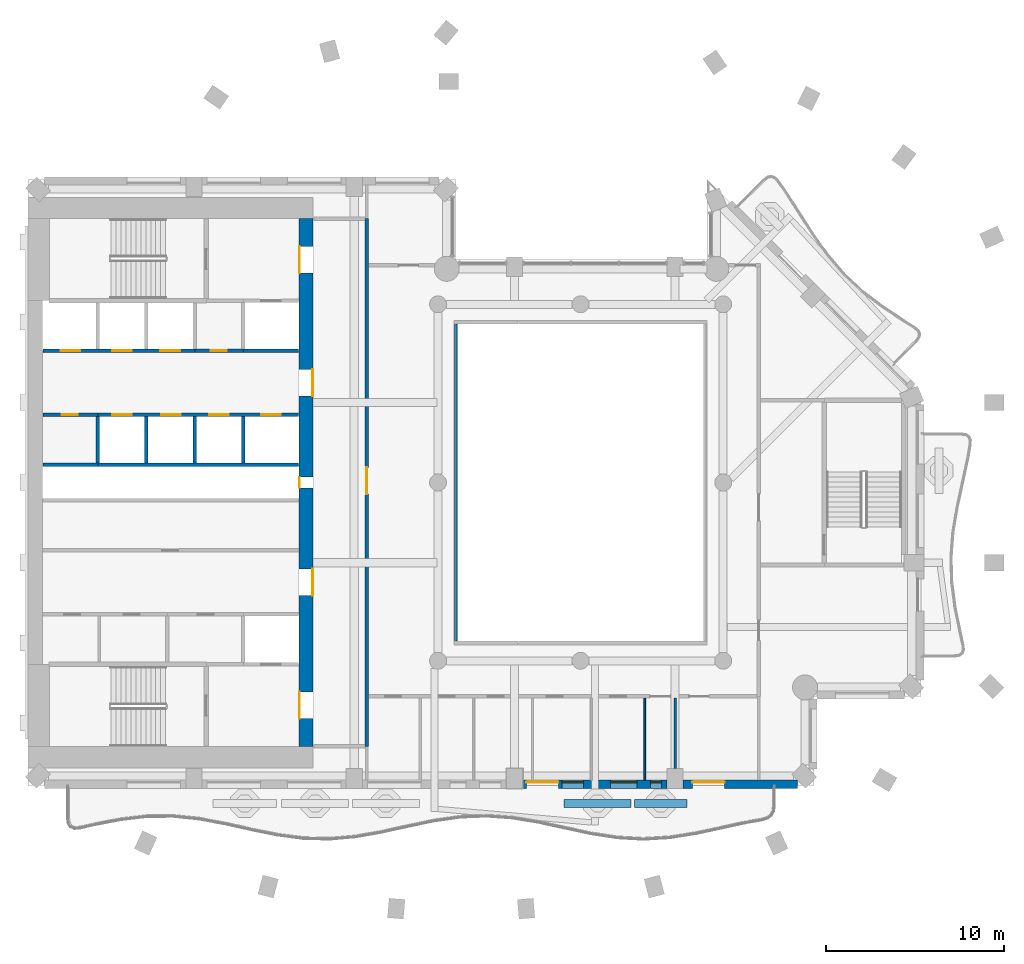
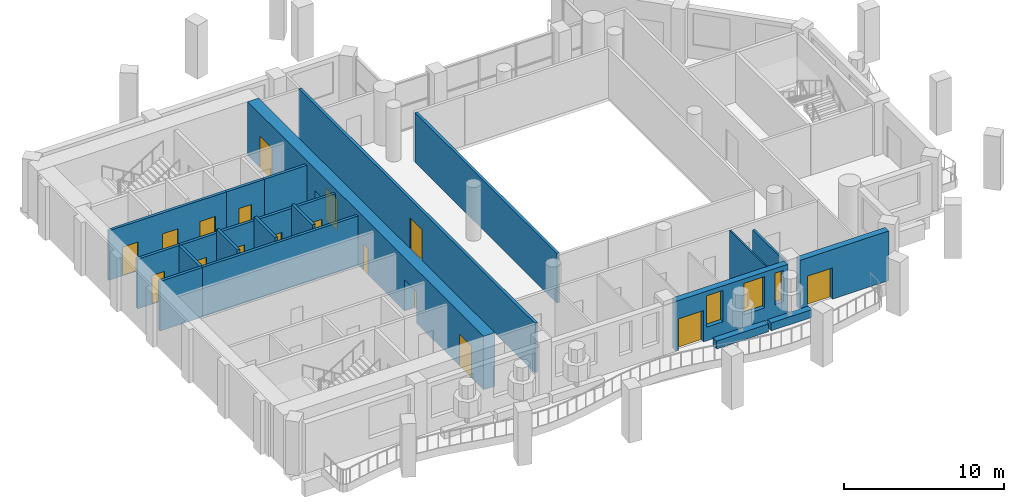
# One storey, part 5 of 15: 20 walls, 17 doors, 3 windows, 20 openings.
"""IFC4 building model written with IfcOpenShell, lengths in metres."""

from ifc_helpers import new_model, si_unit, direction, frame, frame_2d, origin, place, context, subcontext, project, spatial, rectangle, extrude, material, layer, layer_set, type_object, element, fill, save


model = new_model("IFC4")

# Units and contexts
model_context = context("Model", 3, precision=1e-05, world=origin(), true_north=direction((0.0, 1.0)))
body_context = subcontext(model_context, "Body", "Model", "MODEL_VIEW")
ifc_project = project(units=[si_unit("LENGTHUNIT", "METRE"), si_unit("AREAUNIT", "SQUARE_METRE"), si_unit("VOLUMEUNIT", "CUBIC_METRE"), si_unit("PLANEANGLEUNIT", "RADIAN"), si_unit("MASSUNIT", "GRAM", prefix="KILO")], contexts=[model_context])

# Site, building, storey
site_placement = place(None, origin())
site = spatial("IfcSite", under=ifc_project, at=site_placement, CompositionType="ELEMENT")
building_placement = place(site_placement, origin())
building = spatial("IfcBuilding", under=site, at=building_placement, Name="Cypress Arch Tower", CompositionType="ELEMENT")
storey_placement = place(building_placement, frame((0.0, 0.0, 176.89990234375)))
storey = spatial("IfcBuildingStorey", under=building, at=storey_placement, Name="L38", CompositionType="ELEMENT", Elevation=176.89990234375)

# Walls
ifc_material_1 = material(Name="Concrete C40/50, waterproofed", Category="concrete")
ifc_layer_1 = layer(ifc_material_1, 0.449951171875)
ifc_layer_set_1 = layer_set([ifc_layer_1], Name="Balcony planter wall PW450")
wall_type_1 = type_object("IfcWallType", Name="Balcony planter wall PW450", PredefinedType="SOLIDWALL", material=ifc_layer_set_1)
wall_1_placement = place(storey_placement, frame((0.070068359375, -18.0, 0.0), z_axis=(0.0, 0.0, 1.0), x_axis=(1.0, 0.0, 0.0)))
element("IfcWall", 1, at=wall_1_placement, inside=storey, type_object=wall_type_1, Name="Balcony planter wall L38-B01.4", PredefinedType="SOLIDWALL", context=body_context, shape_type="SweptSolid", body=[
    extrude(rectangle(XDim=3.760009765625, YDim=0.449951171875, at=frame_2d((1.8798828125, 0.0))), origin(), (0.0, 0.0, 1.0), 0.60009765625),
])
wall_2_placement = place(storey_placement, frame((4.030029296875, -18.0, 0.0), z_axis=(0.0, 0.0, 1.0), x_axis=(1.0, 0.0, 0.0)))
element("IfcWall", 2, at=wall_2_placement, inside=storey, type_object=wall_type_1, Name="Balcony planter wall L38-B01.5", PredefinedType="SOLIDWALL", context=body_context, shape_type="SweptSolid", body=[
    extrude(rectangle(XDim=2.945068359375, YDim=0.449951171875, at=frame_2d((1.47265625, 0.0))), origin(), (0.0, 0.0, 1.0), 0.60009765625),
])

# Wall, openings, door, windows
ifc_material_2 = material(Name="Brick (red buff blend)", Category="masonry")
ifc_layer_2 = layer(ifc_material_2, 0.449951171875)
ifc_layer_set_2 = layer_set([ifc_layer_2], Name="Brick pier and spandrel wall BW450")
wall_type_2 = type_object("IfcWallType", Name="Brick pier and spandrel wall BW450", PredefinedType="SOLIDWALL", material=ifc_layer_set_2)
wall_3_placement = place(storey_placement, frame((-2.25, -16.925048828125, 0.0), z_axis=(0.0, 0.0, 1.0), x_axis=(1.0, 0.0, 0.0)))
wall_3 = element("IfcWall", 3, at=wall_3_placement, inside=storey, type_object=wall_type_2, Name="Brick wall L38 B01.3", PredefinedType="SOLIDWALL", context=body_context, shape_type="SweptSolid", body=[
    extrude(rectangle(XDim=8.10009765625, YDim=0.449951171875, at=frame_2d((4.050048828125, 0.0))), origin(), (0.0, 0.0, 1.0), 3.800048828125),
])
opening_1_placement = place(wall_3_placement, frame((0.199951171875, 0.0, 0.0)))
opening_1 = element("IfcOpeningElement", 4, at=opening_1_placement, cuts=wall_3, Name="Opening D-L38-B01.3.1", PredefinedType="OPENING", context=body_context, shape_type="SweptSolid", body=[
    extrude(rectangle(XDim=1.800048828125, YDim=2.39990234375, at=frame_2d((0.89990234375, 1.199951171875))), frame((0.0, 0.23486328125, 0.0), z_axis=(0.0, -1.0, 0.0), x_axis=(1.0, 0.0, 0.0)), (0.0, 0.0, 1.0), 0.469970703125),
])
opening_2_placement = place(wall_3_placement, frame((2.199951171875, 0.0, 1.050048828125)))
opening_2 = element("IfcOpeningElement", 5, at=opening_2_placement, cuts=wall_3, Name="Opening W120OD", PredefinedType="OPENING", context=body_context, shape_type="SweptSolid", body=[
    extrude(rectangle(XDim=1.199951171875, YDim=2.39990234375, at=frame_2d((0.60009765625, 1.199951171875))), frame((0.0, 0.23486328125, 0.0), z_axis=(0.0, -1.0, 0.0), x_axis=(1.0, 0.0, 0.0)), (0.0, 0.0, 1.0), 0.469970703125),
])
opening_3_placement = place(wall_3_placement, frame((4.925537109375, 0.0, 1.050048828125)))
opening_3 = element("IfcOpeningElement", 6, at=opening_3_placement, cuts=wall_3, Name="Opening W150OD", PredefinedType="OPENING", context=body_context, shape_type="SweptSolid", body=[
    extrude(rectangle(XDim=1.5, YDim=2.39990234375, at=frame_2d((0.75, 1.199951171875))), frame((0.0, 0.23486328125, 0.0), z_axis=(0.0, -1.0, 0.0), x_axis=(1.0, 0.0, 0.0)), (0.0, 0.0, 1.0), 0.469970703125),
])
opening_4_placement = place(wall_3_placement, frame((7.175537109375, 0.0, 1.050048828125)))
opening_4 = element("IfcOpeningElement", 7, at=opening_4_placement, cuts=wall_3, Name="Opening W060OD", PredefinedType="OPENING", context=body_context, shape_type="SweptSolid", body=[
    extrude(rectangle(XDim=0.60009765625, YDim=2.39990234375, at=frame_2d((0.300048828125, 1.199951171875))), frame((0.0, 0.23486328125, 0.0), z_axis=(0.0, -1.0, 0.0), x_axis=(1.0, 0.0, 0.0)), (0.0, 0.0, 1.0), 0.469970703125),
])
ifc_material_3 = material(Name="Anodised aluminium, bronze finish, laminated low-emissivity double glazing, large-missile impact rated", Category="aluminium")
door_type_1 = type_object("IfcDoorType", Name="Balcony sliding door 1800x2400", OperationType="SLIDING_TO_LEFT", PredefinedType="DOOR", material=ifc_material_3)
door_1_placement = place(opening_1_placement, origin())
door_1 = element("IfcDoor", 8, at=door_1_placement, inside=storey, type_object=door_type_1, Name="Balcony door L38 B01.3.1", OperationType="SLIDING_TO_LEFT", OverallHeight=2.39990234375, OverallWidth=1.800048828125, PredefinedType="DOOR", context=body_context, shape_type="SweptSolid", body=[
    extrude(rectangle(XDim=1.800048828125, YDim=2.39990234375, at=frame_2d((0.89990234375, 1.199951171875))), frame((0.0, 0.1298828125, 0.0), z_axis=(0.0, -1.0, 0.0), x_axis=(1.0, 0.0, 0.0)), (0.0, 0.0, 1.0), 0.050048828125),
])
fill(opening_1, door_1)
ifc_material_4 = material(Name="Anodised aluminium, bronze finish, laminated low-emissivity double glazing, large-missile impact rated", Category="aluminium")
window_type_1 = type_object("IfcWindowType", Name="Window Office 1200x2400 debris-rated", PartitioningType="SINGLE_PANEL", PredefinedType="WINDOW", material=ifc_material_4)
window_1_placement = place(opening_2_placement, origin())
window_1 = element("IfcWindow", 9, at=window_1_placement, inside=storey, type_object=window_type_1, Name="Window L38 B01.3.1", OverallHeight=2.39990234375, OverallWidth=1.199951171875, PartitioningType="SINGLE_PANEL", PredefinedType="WINDOW", context=body_context, shape_type="SweptSolid", body=[
    extrude(rectangle(XDim=1.199951171875, YDim=2.39990234375, at=frame_2d((0.60009765625, 1.199951171875))), frame((0.0, 0.135009765625, 0.0), z_axis=(0.0, -1.0, 0.0), x_axis=(1.0, 0.0, 0.0)), (0.0, 0.0, 1.0), 0.06005859375),
])
fill(opening_2, window_1)
ifc_material_5 = material(Name="Anodised aluminium, bronze finish, laminated low-emissivity double glazing, large-missile impact rated", Category="aluminium")
window_type_2 = type_object("IfcWindowType", Name="Window Office 1500x2400 debris-rated", PartitioningType="SINGLE_PANEL", PredefinedType="WINDOW", material=ifc_material_5)
window_2_placement = place(opening_3_placement, origin())
window_2 = element("IfcWindow", 10, at=window_2_placement, inside=storey, type_object=window_type_2, Name="Window L38 B01.3.2", OverallHeight=2.39990234375, OverallWidth=1.5, PartitioningType="SINGLE_PANEL", PredefinedType="WINDOW", context=body_context, shape_type="SweptSolid", body=[
    extrude(rectangle(XDim=1.5, YDim=2.39990234375, at=frame_2d((0.75, 1.199951171875))), frame((0.0, 0.135009765625, 0.0), z_axis=(0.0, -1.0, 0.0), x_axis=(1.0, 0.0, 0.0)), (0.0, 0.0, 1.0), 0.06005859375),
])
fill(opening_3, window_2)
ifc_material_6 = material(Name="Anodised aluminium, bronze finish, laminated low-emissivity double glazing, large-missile impact rated", Category="aluminium")
window_type_3 = type_object("IfcWindowType", Name="Window Office 600x2400 debris-rated", PartitioningType="SINGLE_PANEL", PredefinedType="WINDOW", material=ifc_material_6)
window_3_placement = place(opening_4_placement, origin())
window_3 = element("IfcWindow", 11, at=window_3_placement, inside=storey, type_object=window_type_3, Name="Window L38 B01.3.2b", OverallHeight=2.39990234375, OverallWidth=0.60009765625, PartitioningType="SINGLE_PANEL", PredefinedType="WINDOW", context=body_context, shape_type="SweptSolid", body=[
    extrude(rectangle(XDim=0.60009765625, YDim=2.39990234375, at=frame_2d((0.300048828125, 1.199951171875))), frame((0.0, 0.135009765625, 0.0), z_axis=(0.0, -1.0, 0.0), x_axis=(1.0, 0.0, 0.0)), (0.0, 0.0, 1.0), 0.06005859375),
])
fill(opening_4, window_3)

# Wall, opening, door
wall_4_placement = place(storey_placement, frame((6.75, -16.925048828125, 0.0), z_axis=(0.0, 0.0, 1.0), x_axis=(1.0, 0.0, 0.0)))
wall_4 = element("IfcWall", 12, at=wall_4_placement, inside=storey, type_object=wall_type_2, Name="Brick wall L38 B01.4", PredefinedType="SOLIDWALL", context=body_context, shape_type="SweptSolid", body=[
    extrude(rectangle(XDim=6.41357421875, YDim=0.449951171875, at=frame_2d((3.206787109375, 0.0))), origin(), (0.0, 0.0, 1.0), 3.800048828125),
])
opening_5_placement = place(wall_4_placement, frame((0.52490234375, 0.0, 0.0)))
opening_5 = element("IfcOpeningElement", 13, at=opening_5_placement, cuts=wall_4, Name="Opening D-L38-B01.4.1", PredefinedType="OPENING", context=body_context, shape_type="SweptSolid", body=[
    extrude(rectangle(XDim=1.800048828125, YDim=2.39990234375, at=frame_2d((0.89990234375, 1.199951171875))), frame((0.0, 0.23486328125, 0.0), z_axis=(0.0, -1.0, 0.0), x_axis=(1.0, 0.0, 0.0)), (0.0, 0.0, 1.0), 0.469970703125),
])
door_2_placement = place(opening_5_placement, origin())
door_2 = element("IfcDoor", 14, at=door_2_placement, inside=storey, type_object=door_type_1, Name="Balcony door L38 B01.4.1", OperationType="SLIDING_TO_LEFT", OverallHeight=2.39990234375, OverallWidth=1.800048828125, PredefinedType="DOOR", context=body_context, shape_type="SweptSolid", body=[
    extrude(rectangle(XDim=1.800048828125, YDim=2.39990234375, at=frame_2d((0.89990234375, 1.199951171875))), frame((0.0, 0.1298828125, 0.0), z_axis=(0.0, -1.0, 0.0), x_axis=(1.0, 0.0, 0.0)), (0.0, 0.0, 1.0), 0.050048828125),
])
fill(opening_5, door_2)

# Wall, openings, doors
ifc_material_7 = material(Name="Concrete C70/85", Category="concrete")
ifc_layer_3 = layer(ifc_material_7, 0.800048828125)
ifc_layer_set_3 = layer_set([ifc_layer_3], Name="Core wall CW800 C70/85")
wall_type_3 = type_object("IfcWallType", Name="Core wall CW800 C70/85", PredefinedType="SHEAR", material=ifc_layer_set_3)
wall_5_placement = place(storey_placement, frame((-14.39990234375, -14.800048828125, 0.0), z_axis=(0.0, 0.0, 1.0), x_axis=(0.0, 1.0, 0.0)))
wall_5 = element("IfcWall", 15, at=wall_5_placement, inside=storey, type_object=wall_type_3, Name="Core wall", PredefinedType="SHEAR", context=body_context, shape_type="SweptSolid", body=[
    extrude(rectangle(XDim=29.60009765625, YDim=0.800048828125, at=frame_2d((14.800048828125, 0.0))), origin(), (0.0, 0.0, 1.0), 4.10009765625),
])
opening_6_placement = place(wall_5_placement, frame((1.550048828125, 0.0, 0.0)))
opening_6 = element("IfcOpeningElement", 16, at=opening_6_placement, cuts=wall_5, Name="Opening D07", PredefinedType="OPENING", context=body_context, shape_type="SweptSolid", body=[
    extrude(rectangle(XDim=1.5, YDim=2.39990234375, at=frame_2d((0.75, 1.199951171875))), frame((0.0, 0.409912109375, 0.0), z_axis=(0.0, -1.0, 0.0), x_axis=(1.0, 0.0, 0.0)), (0.0, 0.0, 1.0), 0.820068359375),
])
opening_7_placement = place(wall_5_placement, frame((26.550048828125, 0.0, 0.0)))
opening_7 = element("IfcOpeningElement", 17, at=opening_7_placement, cuts=wall_5, Name="Opening D07", PredefinedType="OPENING", context=body_context, shape_type="SweptSolid", body=[
    extrude(rectangle(XDim=1.5, YDim=2.39990234375, at=frame_2d((0.75, 1.199951171875))), frame((0.0, 0.409912109375, 0.0), z_axis=(0.0, -1.0, 0.0), x_axis=(1.0, 0.0, 0.0)), (0.0, 0.0, 1.0), 0.820068359375),
])
opening_8_placement = place(wall_5_placement, frame((8.449951171875, 0.0, 0.0)))
opening_8 = element("IfcOpeningElement", 18, at=opening_8_placement, cuts=wall_5, Name="Opening D07", PredefinedType="OPENING", context=body_context, shape_type="SweptSolid", body=[
    extrude(rectangle(XDim=1.5, YDim=2.39990234375, at=frame_2d((0.75, 1.199951171875))), frame((0.0, 0.409912109375, 0.0), z_axis=(0.0, -1.0, 0.0), x_axis=(1.0, 0.0, 0.0)), (0.0, 0.0, 1.0), 0.820068359375),
])
opening_9_placement = place(wall_5_placement, frame((19.64990234375, 0.0, 0.0)))
opening_9 = element("IfcOpeningElement", 19, at=opening_9_placement, cuts=wall_5, Name="Opening D07", PredefinedType="OPENING", context=body_context, shape_type="SweptSolid", body=[
    extrude(rectangle(XDim=1.5, YDim=2.39990234375, at=frame_2d((0.75, 1.199951171875))), frame((0.0, 0.409912109375, 0.0), z_axis=(0.0, -1.0, 0.0), x_axis=(1.0, 0.0, 0.0)), (0.0, 0.0, 1.0), 0.820068359375),
])
opening_10_placement = place(wall_5_placement, frame((14.5, 0.0, 0.0)))
opening_10 = element("IfcOpeningElement", 20, at=opening_10_placement, cuts=wall_5, Name="Opening D08", PredefinedType="OPENING", context=body_context, shape_type="SweptSolid", body=[
    extrude(rectangle(XDim=0.60009765625, YDim=2.0, at=frame_2d((0.300048828125, 1.0))), frame((0.0, 0.409912109375, 0.0), z_axis=(0.0, -1.0, 0.0), x_axis=(1.0, 0.0, 0.0)), (0.0, 0.0, 1.0), 0.820068359375),
])
ifc_material_8 = material(Name="Steel framed glazed door, fire resisting", Category="steel")
door_type_2 = type_object("IfcDoorType", Name="Lobby door D07 1500x2400", OperationType="DOUBLE_DOOR_SINGLE_SWING", PredefinedType="DOOR", material=ifc_material_8)
door_3_placement = place(opening_6_placement, origin())
door_3 = element("IfcDoor", 21, at=door_3_placement, inside=storey, type_object=door_type_2, Name="Lobby door", OperationType="DOUBLE_DOOR_SINGLE_SWING", OverallHeight=2.39990234375, OverallWidth=1.5, PredefinedType="DOOR", context=body_context, shape_type="SweptSolid", body=[
    extrude(rectangle(XDim=1.5, YDim=2.39990234375, at=frame_2d((0.75, 1.199951171875))), frame((0.0, 0.39501953125, 0.0), z_axis=(0.0, -1.0, 0.0), x_axis=(1.0, 0.0, 0.0)), (0.0, 0.0, 1.0), 0.050048828125),
])
fill(opening_6, door_3)
door_4_placement = place(opening_7_placement, origin())
door_4 = element("IfcDoor", 22, at=door_4_placement, inside=storey, type_object=door_type_2, Name="Lobby door", OperationType="DOUBLE_DOOR_SINGLE_SWING", OverallHeight=2.39990234375, OverallWidth=1.5, PredefinedType="DOOR", context=body_context, shape_type="SweptSolid", body=[
    extrude(rectangle(XDim=1.5, YDim=2.39990234375, at=frame_2d((0.75, 1.199951171875))), frame((0.0, 0.39501953125, 0.0), z_axis=(0.0, -1.0, 0.0), x_axis=(1.0, 0.0, 0.0)), (0.0, 0.0, 1.0), 0.050048828125),
])
fill(opening_7, door_4)
door_5_placement = place(opening_8_placement, origin())
door_5 = element("IfcDoor", 23, at=door_5_placement, inside=storey, type_object=door_type_2, Name="Lobby door", OperationType="DOUBLE_DOOR_SINGLE_SWING", OverallHeight=2.39990234375, OverallWidth=1.5, PredefinedType="DOOR", context=body_context, shape_type="SweptSolid", body=[
    extrude(rectangle(XDim=1.5, YDim=2.39990234375, at=frame_2d((0.75, 1.199951171875))), frame((0.0, -0.34521484375, 0.0), z_axis=(0.0, -1.0, 0.0), x_axis=(1.0, 0.0, 0.0)), (0.0, 0.0, 1.0), 0.050048828125),
])
fill(opening_8, door_5)
door_6_placement = place(opening_9_placement, origin())
door_6 = element("IfcDoor", 24, at=door_6_placement, inside=storey, type_object=door_type_2, Name="Lobby door", OperationType="DOUBLE_DOOR_SINGLE_SWING", OverallHeight=2.39990234375, OverallWidth=1.5, PredefinedType="DOOR", context=body_context, shape_type="SweptSolid", body=[
    extrude(rectangle(XDim=1.5, YDim=2.39990234375, at=frame_2d((0.75, 1.199951171875))), frame((0.0, -0.34521484375, 0.0), z_axis=(0.0, -1.0, 0.0), x_axis=(1.0, 0.0, 0.0)), (0.0, 0.0, 1.0), 0.050048828125),
])
fill(opening_9, door_6)
ifc_material_9 = material(Name="Steel access door, fire resisting", Category="steel")
door_type_3 = type_object("IfcDoorType", Name="Riser access door D08 600x2000", OperationType="SINGLE_SWING_LEFT", PredefinedType="DOOR", material=ifc_material_9)
door_7_placement = place(opening_10_placement, origin())
door_7 = element("IfcDoor", 25, at=door_7_placement, inside=storey, type_object=door_type_3, Name="Riser access door", OperationType="SINGLE_SWING_RIGHT", OverallHeight=2.0, OverallWidth=0.60009765625, PredefinedType="DOOR", context=body_context, shape_type="SweptSolid", body=[
    extrude(rectangle(XDim=0.60009765625, YDim=2.0, at=frame_2d((0.300048828125, 1.0))), frame((0.0, 0.39501953125, 0.0), z_axis=(0.0, -1.0, 0.0), x_axis=(1.0, 0.0, 0.0)), (0.0, 0.0, 1.0), 0.050048828125),
])
fill(opening_10, door_7)

# Wall, opening, door
ifc_material_10 = material(Name="Concrete blockwork, plastered, rated", Category="masonry")
ifc_layer_4 = layer(ifc_material_10, 0.199951171875)
ifc_layer_set_4 = layer_set([ifc_layer_4], Name="Corridor wall FW200")
wall_type_4 = type_object("IfcWallType", Name="Corridor wall FW200", PredefinedType="PARTITIONING", material=ifc_layer_set_4)
wall_6_placement = place(storey_placement, frame((-29.169921875, 3.800048828125, 0.0), z_axis=(0.0, 0.0, 1.0), x_axis=(1.0, 0.0, 0.0)))
wall_6 = element("IfcWall", 26, at=wall_6_placement, inside=storey, type_object=wall_type_4, Name="Corridor wall", PredefinedType="PARTITIONING", context=body_context, shape_type="SweptSolid", body=[
    extrude(rectangle(XDim=3.08984375, YDim=0.199951171875, at=frame_2d((1.544921875, 0.0))), origin(), (0.0, 0.0, 1.0), 3.800048828125),
])
opening_11_placement = place(wall_6_placement, frame((1.050048828125, 0.0, 0.0)))
opening_11 = element("IfcOpeningElement", 27, at=opening_11_placement, cuts=wall_6, Name="Opening D05", PredefinedType="OPENING", context=body_context, shape_type="SweptSolid", body=[
    extrude(rectangle(XDim=0.89990234375, YDim=2.199951171875, at=frame_2d((0.449951171875, 1.10009765625))), frame((0.0, 0.10986328125, 0.0), z_axis=(0.0, -1.0, 0.0), x_axis=(1.0, 0.0, 0.0)), (0.0, 0.0, 1.0), 0.219970703125),
])
ifc_material_11 = material(Name="Timber flush door", Category="wood")
door_type_4 = type_object("IfcDoorType", Name="Service door D05 900x2200", OperationType="SINGLE_SWING_LEFT", PredefinedType="DOOR", material=ifc_material_11)
door_8_placement = place(opening_11_placement, origin())
door_8 = element("IfcDoor", 28, at=door_8_placement, inside=storey, type_object=door_type_4, Name="Service door", OperationType="SINGLE_SWING_LEFT", OverallHeight=2.199951171875, OverallWidth=0.89990234375, PredefinedType="DOOR", context=body_context, shape_type="SweptSolid", body=[
    extrude(rectangle(XDim=0.89990234375, YDim=2.199951171875, at=frame_2d((0.449951171875, 1.10009765625))), frame((0.0, 0.02490234375, 0.0), z_axis=(0.0, -1.0, 0.0), x_axis=(1.0, 0.0, 0.0)), (0.0, 0.0, 1.0), 0.050048828125),
])
fill(opening_11, door_8)

wall_7_placement = place(storey_placement, frame((-11.0, -14.800048828125, 0.0), z_axis=(0.0, 0.0, 1.0), x_axis=(0.0, 1.0, 0.0)))
wall_7 = element("IfcWall", 29, at=wall_7_placement, inside=storey, type_object=wall_type_4, Name="Corridor wall", PredefinedType="PARTITIONING", context=body_context, shape_type="SweptSolid", body=[
    extrude(rectangle(XDim=29.60009765625, YDim=0.199951171875, at=frame_2d((14.800048828125, 0.0))), origin(), (0.0, 0.0, 1.0), 3.800048828125),
])
opening_12_placement = place(wall_7_placement, frame((14.14990234375, 0.0, 0.0)))
opening_12 = element("IfcOpeningElement", 30, at=opening_12_placement, cuts=wall_7, Name="Opening D07", PredefinedType="OPENING", context=body_context, shape_type="SweptSolid", body=[
    extrude(rectangle(XDim=1.5, YDim=2.39990234375, at=frame_2d((0.75, 1.199951171875))), frame((0.0, 0.10986328125, 0.0), z_axis=(0.0, -1.0, 0.0), x_axis=(1.0, 0.0, 0.0)), (0.0, 0.0, 1.0), 0.219970703125),
])
door_9_placement = place(opening_12_placement, origin())
door_9 = element("IfcDoor", 31, at=door_9_placement, inside=storey, type_object=door_type_2, Name="Lobby door", OperationType="DOUBLE_DOOR_SINGLE_SWING", OverallHeight=2.39990234375, OverallWidth=1.5, PredefinedType="DOOR", context=body_context, shape_type="SweptSolid", body=[
    extrude(rectangle(XDim=1.5, YDim=2.39990234375, at=frame_2d((0.75, 1.199951171875))), frame((0.0, 0.02490234375, 0.0), z_axis=(0.0, -1.0, 0.0), x_axis=(1.0, 0.0, 0.0)), (0.0, 0.0, 1.0), 0.050048828125),
])
fill(opening_12, door_9)

# Walls
wall_8_placement = place(storey_placement, frame((-6.0, -8.89990234375, 0.0), z_axis=(0.0, 0.0, 1.0), x_axis=(0.0, 1.0, 0.0)))
element("IfcWall", 32, at=wall_8_placement, inside=storey, type_object=wall_type_4, Name="Corridor wall", PredefinedType="PARTITIONING", context=body_context, shape_type="SweptSolid", body=[
    extrude(rectangle(XDim=17.7998046875, YDim=0.199951171875, at=frame_2d((8.89990234375, 0.0))), origin(), (0.0, 0.0, 1.0), 3.800048828125),
])
ifc_material_12 = material(Name="Blockwork, plastered both sides", Category="masonry")
ifc_layer_5 = layer(ifc_material_12, 0.14990234375)
ifc_layer_set_5 = layer_set([ifc_layer_5], Name="Partition PW150")
wall_type_5 = type_object("IfcWallType", Name="Partition PW150", PredefinedType="PARTITIONING", material=ifc_layer_set_5)
wall_9_placement = place(storey_placement, frame((6.300048828125, -16.050048828125, 0.0), z_axis=(0.0, 0.0, 1.0), x_axis=(0.0, 1.0, 0.0)))
element("IfcWall", 33, at=wall_9_placement, inside=storey, type_object=wall_type_5, Name="Partition", PredefinedType="PARTITIONING", context=body_context, shape_type="SweptSolid", body=[
    extrude(rectangle(XDim=3.949951171875, YDim=0.14990234375, at=frame_2d((1.97509765625, 0.0))), origin(), (0.0, 0.0, 1.0), 3.25),
])
ifc_material_13 = material(Name="Reinforced blockwork, plastered, rated", Category="masonry")
ifc_layer_6 = layer(ifc_material_13, 0.199951171875)
ifc_layer_set_6 = layer_set([ifc_layer_6], Name="Plant and riser wall PL200")
wall_type_6 = type_object("IfcWallType", Name="Plant and riser wall PL200", PredefinedType="PARTITIONING", material=ifc_layer_set_6)
wall_10_placement = place(storey_placement, frame((-29.169921875, 1.0, 0.0), z_axis=(0.0, 0.0, 1.0), x_axis=(1.0, 0.0, 0.0)))
element("IfcWall", 34, at=wall_10_placement, inside=storey, type_object=wall_type_6, Name="Plant and riser wall", PredefinedType="PARTITIONING", context=body_context, shape_type="SweptSolid", body=[
    extrude(rectangle(XDim=3.08984375, YDim=0.199951171875, at=frame_2d((1.544921875, 0.0))), origin(), (0.0, 0.0, 1.0), 3.800048828125),
])

# Wall, opening, door
wall_11_placement = place(storey_placement, frame((-20.639892578125, 7.39990234375, 0.0), z_axis=(0.0, 0.0, 1.0), x_axis=(1.0, 0.0, 0.0)))
wall_11 = element("IfcWall", 35, at=wall_11_placement, inside=storey, type_object=wall_type_6, Name="Plant and riser wall", PredefinedType="PARTITIONING", context=body_context, shape_type="SweptSolid", body=[
    extrude(rectangle(XDim=2.719970703125, YDim=0.199951171875, at=frame_2d((1.35986328125, 0.0))), origin(), (0.0, 0.0, 1.0), 3.800048828125),
])
opening_13_placement = place(wall_11_placement, frame((0.89990234375, 0.0, 0.0)))
opening_13 = element("IfcOpeningElement", 36, at=opening_13_placement, cuts=wall_11, Name="Opening D05", PredefinedType="OPENING", context=body_context, shape_type="SweptSolid", body=[
    extrude(rectangle(XDim=0.89990234375, YDim=2.199951171875, at=frame_2d((0.449951171875, 1.10009765625))), frame((0.0, 0.10986328125, 0.0), z_axis=(0.0, -1.0, 0.0), x_axis=(1.0, 0.0, 0.0)), (0.0, 0.0, 1.0), 0.219970703125),
])
door_10_placement = place(opening_13_placement, origin())
door_10 = element("IfcDoor", 37, at=door_10_placement, inside=storey, type_object=door_type_4, Name="Service door", OperationType="SINGLE_SWING_LEFT", OverallHeight=2.199951171875, OverallWidth=0.89990234375, PredefinedType="DOOR", context=body_context, shape_type="SweptSolid", body=[
    extrude(rectangle(XDim=0.89990234375, YDim=2.199951171875, at=frame_2d((0.449951171875, 1.10009765625))), frame((0.0, 0.02490234375, 0.0), z_axis=(0.0, -1.0, 0.0), x_axis=(1.0, 0.0, 0.0)), (0.0, 0.0, 1.0), 0.050048828125),
])
fill(opening_13, door_10)

# Wall, openings, doors
ifc_material_14 = material(Name="Concrete C50/60", Category="concrete")
ifc_layer_7 = layer(ifc_material_14, 0.199951171875)
ifc_layer_set_7 = layer_set([ifc_layer_7], Name="Shaft wall SH200")
wall_type_7 = type_object("IfcWallType", Name="Shaft wall SH200", PredefinedType="SHEAR", material=ifc_layer_set_7)
wall_12_placement = place(storey_placement, frame((-29.169921875, 7.39990234375, 0.0), z_axis=(0.0, 0.0, 1.0), x_axis=(1.0, 0.0, 0.0)))
wall_12 = element("IfcWall", 38, at=wall_12_placement, inside=storey, type_object=wall_type_7, Name="Shaft wall", PredefinedType="SHEAR", context=body_context, shape_type="SweptSolid", body=[
    extrude(rectangle(XDim=8.530029296875, YDim=0.199951171875, at=frame_2d((4.26513671875, 0.0))), origin(), (0.0, 0.0, 1.0), 3.800048828125),
])
opening_14_placement = place(wall_12_placement, frame((1.0, 0.0, 0.0)))
opening_14 = element("IfcOpeningElement", 39, at=opening_14_placement, cuts=wall_12, Name="Opening LD-HR5", PredefinedType="OPENING", context=body_context, shape_type="SweptSolid", body=[
    extrude(rectangle(XDim=1.10009765625, YDim=2.199951171875, at=frame_2d((0.550048828125, 1.10009765625))), frame((0.0, 0.10986328125, 0.0), z_axis=(0.0, -1.0, 0.0), x_axis=(1.0, 0.0, 0.0)), (0.0, 0.0, 1.0), 0.219970703125),
])
opening_15_placement = place(wall_12_placement, frame((3.89990234375, 0.0, 0.0)))
opening_15 = element("IfcOpeningElement", 40, at=opening_15_placement, cuts=wall_12, Name="Opening LD-HR6", PredefinedType="OPENING", context=body_context, shape_type="SweptSolid", body=[
    extrude(rectangle(XDim=1.10009765625, YDim=2.199951171875, at=frame_2d((0.550048828125, 1.10009765625))), frame((0.0, 0.10986328125, 0.0), z_axis=(0.0, -1.0, 0.0), x_axis=(1.0, 0.0, 0.0)), (0.0, 0.0, 1.0), 0.219970703125),
])
opening_16_placement = place(wall_12_placement, frame((6.60009765625, 0.0, 0.0)))
opening_16 = element("IfcOpeningElement", 41, at=opening_16_placement, cuts=wall_12, Name="Opening LD-HR7", PredefinedType="OPENING", context=body_context, shape_type="SweptSolid", body=[
    extrude(rectangle(XDim=1.10009765625, YDim=2.199951171875, at=frame_2d((0.550048828125, 1.10009765625))), frame((0.0, 0.10986328125, 0.0), z_axis=(0.0, -1.0, 0.0), x_axis=(1.0, 0.0, 0.0)), (0.0, 0.0, 1.0), 0.219970703125),
])
ifc_material_15 = material(Name="Stainless steel centre-opening landing door, rated", Category="steel")
door_type_5 = type_object("IfcDoorType", Name="Lift landing door LD 1100x2200", OperationType="DOUBLE_DOOR_SLIDING", PredefinedType="DOOR", material=ifc_material_15)
door_11_placement = place(opening_14_placement, origin())
door_11 = element("IfcDoor", 42, at=door_11_placement, inside=storey, type_object=door_type_5, Name="Lift landing doors HR5", OperationType="DOUBLE_DOOR_SLIDING", OverallHeight=2.199951171875, OverallWidth=1.10009765625, PredefinedType="DOOR", context=body_context, shape_type="SweptSolid", body=[
    extrude(rectangle(XDim=1.10009765625, YDim=2.199951171875, at=frame_2d((0.550048828125, 1.10009765625))), frame((0.0, 0.02490234375, 0.0), z_axis=(0.0, -1.0, 0.0), x_axis=(1.0, 0.0, 0.0)), (0.0, 0.0, 1.0), 0.050048828125),
])
fill(opening_14, door_11)
door_12_placement = place(opening_15_placement, origin())
door_12 = element("IfcDoor", 43, at=door_12_placement, inside=storey, type_object=door_type_5, Name="Lift landing doors HR6", OperationType="DOUBLE_DOOR_SLIDING", OverallHeight=2.199951171875, OverallWidth=1.10009765625, PredefinedType="DOOR", context=body_context, shape_type="SweptSolid", body=[
    extrude(rectangle(XDim=1.10009765625, YDim=2.199951171875, at=frame_2d((0.550048828125, 1.10009765625))), frame((0.0, 0.02490234375, 0.0), z_axis=(0.0, -1.0, 0.0), x_axis=(1.0, 0.0, 0.0)), (0.0, 0.0, 1.0), 0.050048828125),
])
fill(opening_15, door_12)
door_13_placement = place(opening_16_placement, origin())
door_13 = element("IfcDoor", 44, at=door_13_placement, inside=storey, type_object=door_type_5, Name="Lift landing doors HR7", OperationType="DOUBLE_DOOR_SLIDING", OverallHeight=2.199951171875, OverallWidth=1.10009765625, PredefinedType="DOOR", context=body_context, shape_type="SweptSolid", body=[
    extrude(rectangle(XDim=1.10009765625, YDim=2.199951171875, at=frame_2d((0.550048828125, 1.10009765625))), frame((0.0, 0.02490234375, 0.0), z_axis=(0.0, -1.0, 0.0), x_axis=(1.0, 0.0, 0.0)), (0.0, 0.0, 1.0), 0.050048828125),
])
fill(opening_16, door_13)

# Walls
wall_13_placement = place(storey_placement, frame((-26.080078125, 1.10009765625, 0.0), z_axis=(0.0, 0.0, 1.0), x_axis=(0.0, 1.0, 0.0)))
element("IfcWall", 45, at=wall_13_placement, inside=storey, type_object=wall_type_7, Name="Shaft wall", PredefinedType="SHEAR", context=body_context, shape_type="SweptSolid", body=[
    extrude(rectangle(XDim=2.599853515625, YDim=0.199951171875, at=frame_2d((1.2998046875, 0.0))), origin(), (0.0, 0.0, 1.0), 3.800048828125),
])
wall_14_placement = place(storey_placement, frame((-26.080078125, 1.0, 0.0), z_axis=(0.0, 0.0, 1.0), x_axis=(1.0, 0.0, 0.0)))
element("IfcWall", 46, at=wall_14_placement, inside=storey, type_object=wall_type_7, Name="Shaft wall", PredefinedType="SHEAR", context=body_context, shape_type="SweptSolid", body=[
    extrude(rectangle(XDim=11.25, YDim=0.199951171875, at=frame_2d((5.625, 0.0))), origin(), (0.0, 0.0, 1.0), 3.800048828125),
])

# Wall, openings, doors
wall_15_placement = place(storey_placement, frame((-26.080078125, 3.800048828125, 0.0), z_axis=(0.0, 0.0, 1.0), x_axis=(1.0, 0.0, 0.0)))
wall_15 = element("IfcWall", 47, at=wall_15_placement, inside=storey, type_object=wall_type_7, Name="Shaft wall", PredefinedType="SHEAR", context=body_context, shape_type="SweptSolid", body=[
    extrude(rectangle(XDim=11.25, YDim=0.199951171875, at=frame_2d((5.625, 0.0))), origin(), (0.0, 0.0, 1.0), 3.800048828125),
])
opening_17_placement = place(wall_15_placement, frame((0.800048828125, 0.0, 0.0)))
opening_17 = element("IfcOpeningElement", 48, at=opening_17_placement, cuts=wall_15, Name="Opening LD-HR1", PredefinedType="OPENING", context=body_context, shape_type="SweptSolid", body=[
    extrude(rectangle(XDim=1.10009765625, YDim=2.199951171875, at=frame_2d((0.550048828125, 1.10009765625))), frame((0.0, 0.10986328125, 0.0), z_axis=(0.0, -1.0, 0.0), x_axis=(1.0, 0.0, 0.0)), (0.0, 0.0, 1.0), 0.219970703125),
])
opening_18_placement = place(wall_15_placement, frame((3.550048828125, 0.0, 0.0)))
opening_18 = element("IfcOpeningElement", 49, at=opening_18_placement, cuts=wall_15, Name="Opening LD-HR2", PredefinedType="OPENING", context=body_context, shape_type="SweptSolid", body=[
    extrude(rectangle(XDim=1.10009765625, YDim=2.199951171875, at=frame_2d((0.550048828125, 1.10009765625))), frame((0.0, 0.10986328125, 0.0), z_axis=(0.0, -1.0, 0.0), x_axis=(1.0, 0.0, 0.0)), (0.0, 0.0, 1.0), 0.219970703125),
])
opening_19_placement = place(wall_15_placement, frame((6.25, 0.0, 0.0)))
opening_19 = element("IfcOpeningElement", 50, at=opening_19_placement, cuts=wall_15, Name="Opening LD-HR3", PredefinedType="OPENING", context=body_context, shape_type="SweptSolid", body=[
    extrude(rectangle(XDim=1.10009765625, YDim=2.199951171875, at=frame_2d((0.550048828125, 1.10009765625))), frame((0.0, 0.10986328125, 0.0), z_axis=(0.0, -1.0, 0.0), x_axis=(1.0, 0.0, 0.0)), (0.0, 0.0, 1.0), 0.219970703125),
])
opening_20_placement = place(wall_15_placement, frame((9.14990234375, 0.0, 0.0)))
opening_20 = element("IfcOpeningElement", 51, at=opening_20_placement, cuts=wall_15, Name="Opening LD-HR4", PredefinedType="OPENING", context=body_context, shape_type="SweptSolid", body=[
    extrude(rectangle(XDim=1.10009765625, YDim=2.199951171875, at=frame_2d((0.550048828125, 1.10009765625))), frame((0.0, 0.10986328125, 0.0), z_axis=(0.0, -1.0, 0.0), x_axis=(1.0, 0.0, 0.0)), (0.0, 0.0, 1.0), 0.219970703125),
])
door_14_placement = place(opening_17_placement, origin())
door_14 = element("IfcDoor", 52, at=door_14_placement, inside=storey, type_object=door_type_5, Name="Lift landing doors HR1", OperationType="DOUBLE_DOOR_SLIDING", OverallHeight=2.199951171875, OverallWidth=1.10009765625, PredefinedType="DOOR", context=body_context, shape_type="SweptSolid", body=[
    extrude(rectangle(XDim=1.10009765625, YDim=2.199951171875, at=frame_2d((0.550048828125, 1.10009765625))), frame((0.0, 0.02490234375, 0.0), z_axis=(0.0, -1.0, 0.0), x_axis=(1.0, 0.0, 0.0)), (0.0, 0.0, 1.0), 0.050048828125),
])
fill(opening_17, door_14)
door_15_placement = place(opening_18_placement, origin())
door_15 = element("IfcDoor", 53, at=door_15_placement, inside=storey, type_object=door_type_5, Name="Lift landing doors HR2", OperationType="DOUBLE_DOOR_SLIDING", OverallHeight=2.199951171875, OverallWidth=1.10009765625, PredefinedType="DOOR", context=body_context, shape_type="SweptSolid", body=[
    extrude(rectangle(XDim=1.10009765625, YDim=2.199951171875, at=frame_2d((0.550048828125, 1.10009765625))), frame((0.0, 0.02490234375, 0.0), z_axis=(0.0, -1.0, 0.0), x_axis=(1.0, 0.0, 0.0)), (0.0, 0.0, 1.0), 0.050048828125),
])
fill(opening_18, door_15)
door_16_placement = place(opening_19_placement, origin())
door_16 = element("IfcDoor", 54, at=door_16_placement, inside=storey, type_object=door_type_5, Name="Lift landing doors HR3", OperationType="DOUBLE_DOOR_SLIDING", OverallHeight=2.199951171875, OverallWidth=1.10009765625, PredefinedType="DOOR", context=body_context, shape_type="SweptSolid", body=[
    extrude(rectangle(XDim=1.10009765625, YDim=2.199951171875, at=frame_2d((0.550048828125, 1.10009765625))), frame((0.0, 0.02490234375, 0.0), z_axis=(0.0, -1.0, 0.0), x_axis=(1.0, 0.0, 0.0)), (0.0, 0.0, 1.0), 0.050048828125),
])
fill(opening_19, door_16)
door_17_placement = place(opening_20_placement, origin())
door_17 = element("IfcDoor", 55, at=door_17_placement, inside=storey, type_object=door_type_5, Name="Lift landing doors HR4", OperationType="DOUBLE_DOOR_SLIDING", OverallHeight=2.199951171875, OverallWidth=1.10009765625, PredefinedType="DOOR", context=body_context, shape_type="SweptSolid", body=[
    extrude(rectangle(XDim=1.10009765625, YDim=2.199951171875, at=frame_2d((0.550048828125, 1.10009765625))), frame((0.0, 0.02490234375, 0.0), z_axis=(0.0, -1.0, 0.0), x_axis=(1.0, 0.0, 0.0)), (0.0, 0.0, 1.0), 0.050048828125),
])
fill(opening_20, door_17)

# Walls
for number, where, z_axis, x_axis, name in (
    (56, (-23.360107421875, 1.10009765625, 0.0), (0.0, 0.0, 1.0), (0.0, 1.0, 0.0), "Shaft wall"),
    (57, (-20.639892578125, 1.10009765625, 0.0), (0.0, 0.0, 1.0), (0.0, 1.0, 0.0), "Shaft wall"),
    (58, (-17.919921875, 1.10009765625, 0.0), (0.0, 0.0, 1.0), (0.0, 1.0, 0.0), "Shaft wall"),
):
    element("IfcWall", number, at=place(storey_placement, frame(where, z_axis=z_axis, x_axis=x_axis)), inside=storey, type_object=wall_type_7, Name=name, PredefinedType="SHEAR", context=body_context, shape_type="SweptSolid", body=[
        extrude(rectangle(XDim=2.599853515625, YDim=0.199951171875, at=frame_2d((1.2998046875, 0.0))), origin(), (0.0, 0.0, 1.0), 4.10009765625),
    ])
wall_16_placement = place(storey_placement, frame((-17.919921875, 7.39990234375, 0.0), z_axis=(0.0, 0.0, 1.0), x_axis=(1.0, 0.0, 0.0)))
element("IfcWall", 59, at=wall_16_placement, inside=storey, type_object=wall_type_7, Name="Shaft wall", PredefinedType="SHEAR", context=body_context, shape_type="SweptSolid", body=[
    extrude(rectangle(XDim=3.08984375, YDim=0.199951171875, at=frame_2d((1.544921875, 0.0))), origin(), (0.0, 0.0, 1.0), 3.800048828125),
])
ifc_material_16 = material(Name="Moisture resistant board on steel studs, tiled", Category="steel")
ifc_layer_8 = layer(ifc_material_16, 0.10009765625)
ifc_layer_set_8 = layer_set([ifc_layer_8], Name="Wet wall PW100")
wall_type_8 = type_object("IfcWallType", Name="Wet wall PW100", PredefinedType="PARTITIONING", material=ifc_layer_set_8)
wall_17_placement = place(storey_placement, frame((4.60107421875, -16.699951171875, 0.0), z_axis=(0.0, 0.0, 1.0), x_axis=(0.0, 1.0, 0.0)))
element("IfcWall", 60, at=wall_17_placement, inside=storey, type_object=wall_type_8, Name="Wet wall", PredefinedType="PARTITIONING", context=body_context, shape_type="SweptSolid", body=[
    extrude(rectangle(XDim=4.599853515625, YDim=0.10009765625, at=frame_2d((2.2998046875, 0.0))), origin(), (0.0, 0.0, 1.0), 3.800048828125),
])

save(model, "model.ifc")
